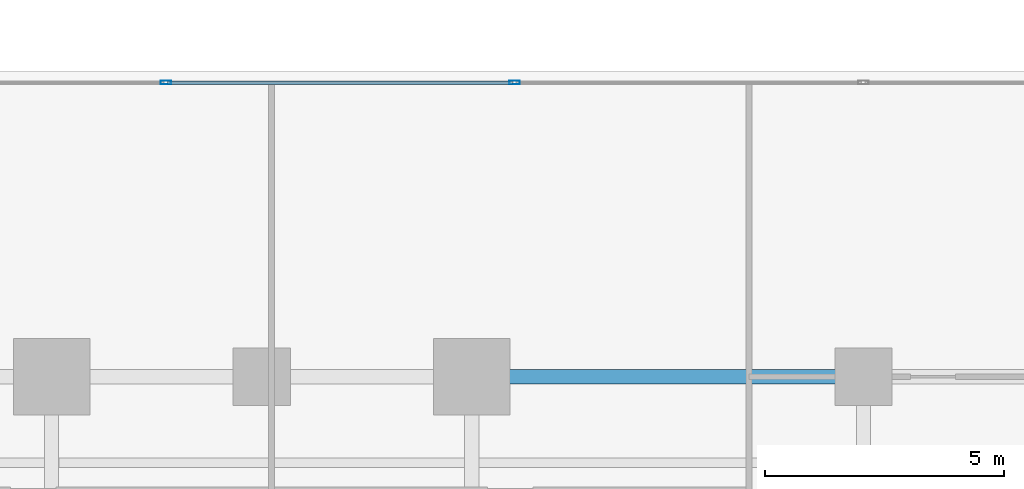
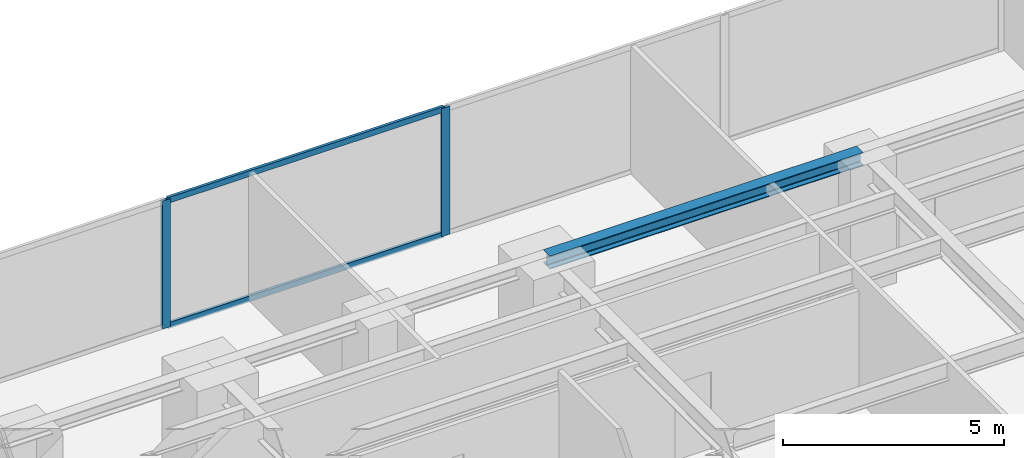
# One storey, part 13 of 28: 4 members, 1 beam, 1 element without a shape of its own.
"""IFC4 building model written with IfcOpenShell, lengths in metres."""

from ifc_helpers import new_model, si_unit, direction, frame, origin, origin_with_axes, origin_2d, place, context, subcontext, project, spatial, hollow_rectangle, i_section, extrude, source, transform, mapped, material, layer, layer_set, material_profile, profile_set, type_object, element, aggregate, save


model = new_model("IFC4")

# Units and contexts
model_context = context("Model", 3, precision=1e-05, world=origin(), true_north=direction((0.0, 1.0)))
body_context = subcontext(model_context, "Body", "Model", "MODEL_VIEW")
ifc_project = project(units=[si_unit("LENGTHUNIT", "METRE"), si_unit("AREAUNIT", "SQUARE_METRE"), si_unit("VOLUMEUNIT", "CUBIC_METRE"), si_unit("PLANEANGLEUNIT", "RADIAN"), si_unit("MASSUNIT", "GRAM", prefix="KILO")], contexts=[model_context])

# Site, building, storey
site_placement = place(None, origin())
site = spatial("IfcSite", under=ifc_project, at=site_placement, CompositionType="ELEMENT")
building_placement = place(site_placement, origin())
building = spatial("IfcBuilding", under=site, at=building_placement, Name="Kolvaren Waterfront Exchange", CompositionType="ELEMENT")
storey_placement = place(building_placement, frame((0.0, 0.0, 75.199951171875)))
storey = spatial("IfcBuildingStorey", under=building, at=storey_placement, Name="L19", CompositionType="ELEMENT", Elevation=75.199951171875)

# Beam
ifc_material_1 = material(Name="Steel S355", Category="steel")
ifc_material_profile_1 = material_profile(ifc_material_1, i_section(OverallWidth=0.300048828125, OverallDepth=0.360107421875, WebThickness=0.012451171875, FlangeThickness=0.0224609375, FilletRadius=0.027099609375, at=origin_2d()), Name="HEB360")
ifc_profile_set_1 = profile_set([ifc_material_profile_1], Name="Steel S355")
beam_type = type_object("IfcBeamType", Name="STR-BM-HEB360", PredefinedType="SPANDREL", material=ifc_profile_set_1)
beam_placement = place(storey_placement, frame((45.60009765625, 17.39990234375, 3.360107421875), z_axis=(1.0, 0.0, 0.0), x_axis=(0.0, 1.0, 0.0)))
element("IfcBeam", 1, at=beam_placement, inside=storey, type_object=beam_type, Name="L19 east-arm spandrel N4", PredefinedType="SPANDREL", context=body_context, shape_type="SweptSolid", body=[
    extrude(i_section(OverallWidth=0.300048828125, OverallDepth=0.360107421875, WebThickness=0.012451171875, FlangeThickness=0.0224609375, FilletRadius=0.027099609375, at=origin_2d()), origin(), (0.0, 0.0, 1.0), 8.199951171875),
])

# Curtain wall, members
ifc_material_2 = material(Name="Anodised bronze aluminium 6063-T6", Category="aluminium")
ifc_layer = layer(ifc_material_2, 0.219970703125, Name="Anodised bronze aluminium 6063-T6")
ifc_layer_set = layer_set([ifc_layer], Name="Anodised bronze aluminium 6063-T6")
curtain_wall_type = type_object("IfcCurtainWallType", Name="ARC-CW-SYS1", PredefinedType="USERDEFINED", material=ifc_layer_set)
curtain_wall_placement = place(storey_placement, origin())
curtain_wall = element("IfcCurtainWall", 2, at=curtain_wall_placement, inside=storey, type_object=curtain_wall_type, Name="L19 stick curtain wall CW1 (CW-L19-EN)", ObjectType="STICK CURTAIN WALL", PredefinedType="USERDEFINED")
ifc_material_3 = material(Name="Anodised aluminium 6063-T6", Category="aluminium")
ifc_material_profile_2 = material_profile(ifc_material_3, hollow_rectangle(XDim=0.074951171875, YDim=0.159912109375, WallThickness=0.00439453125, at=origin_2d()), Name="ALU-TRN-160x75x4.5")
ifc_profile_set_2 = profile_set([ifc_material_profile_2], Name="Anodised aluminium 6063-T6")
member_type_1 = type_object("IfcMemberType", Name="ARC-CWT-160", PredefinedType="USERDEFINED", material=ifc_profile_set_2)
shared_shape_1 = source(origin_with_axes(), body_context, "Body", "SweptSolid", [
    extrude(hollow_rectangle(XDim=0.074951171875, YDim=0.159912109375, WallThickness=0.00439453125, at=origin_2d()), origin(), (0.0, 0.0, 1.0), 7.22265625),
])
member_1_placement = place(storey_placement, frame((39.232421875, 23.56005859375, 0.03759765625), z_axis=(1.0, 0.0, 0.0), x_axis=(0.0, 1.0, 0.0)))
member_1 = element("IfcMember", 3, at=member_1_placement, type_object=member_type_1, Name="CW1 transom 2.1", ObjectType="TRANSOM", PredefinedType="USERDEFINED", context=body_context, shape_type="MappedRepresentation", body=[
    mapped(shared_shape_1, transform((0.0, 0.0, 0.0), x_axis=(1.0, 0.0, 0.0), y_axis=(0.0, 1.0, 0.0), z_axis=(0.0, 0.0, 1.0), scale=1.0)),
])
member_2_placement = place(storey_placement, frame((39.232421875, 23.56005859375, 3.50244140625), z_axis=(1.0, 0.0, 0.0), x_axis=(0.0, 1.0, 0.0)))
member_2 = element("IfcMember", 4, at=member_2_placement, type_object=member_type_1, Name="CW1 transom 2.2", ObjectType="TRANSOM", PredefinedType="USERDEFINED", context=body_context, shape_type="MappedRepresentation", body=[
    mapped(shared_shape_1, transform((0.0, 0.0, 0.0), x_axis=(1.0, 0.0, 0.0), y_axis=(0.0, 1.0, 0.0), z_axis=(0.0, 0.0, 1.0), scale=1.0)),
])
ifc_material_profile_3 = material_profile(ifc_material_3, hollow_rectangle(XDim=0.080078125, YDim=0.219970703125, WallThickness=0.0048828125, at=origin_2d()), Name="ALU-MUL-220x80x5")
ifc_profile_set_3 = profile_set([ifc_material_profile_3], Name="Anodised aluminium 6063-T6")
member_type_2 = type_object("IfcMemberType", Name="ARC-CWM-220", PredefinedType="MULLION", material=ifc_profile_set_3)
shared_shape_2 = source(origin_with_axes(), body_context, "Body", "SweptSolid", [
    extrude(hollow_rectangle(XDim=0.080078125, YDim=0.219970703125, WallThickness=0.0048828125, at=origin_2d()), origin(), (0.0, 0.0, 1.0), 3.5400390625),
])
member_3_placement = place(storey_placement, frame((39.1923828125, 23.56005859375, 0.0), z_axis=(0.0, 0.0, 1.0), x_axis=(0.0, 1.0, 0.0)))
member_3 = element("IfcMember", 5, at=member_3_placement, type_object=member_type_2, Name="CW1 mullion 2", PredefinedType="MULLION", context=body_context, shape_type="MappedRepresentation", body=[
    mapped(shared_shape_2, transform((0.0, 0.0, 0.0), x_axis=(1.0, 0.0, 0.0), y_axis=(0.0, 1.0, 0.0), z_axis=(0.0, 0.0, 1.0), scale=1.0)),
])
member_4_placement = place(storey_placement, frame((46.4951171875, 23.56005859375, 0.0), z_axis=(0.0, 0.0, 1.0), x_axis=(0.0, 1.0, 0.0)))
member_4 = element("IfcMember", 6, at=member_4_placement, type_object=member_type_2, Name="CW1 mullion 3", PredefinedType="MULLION", context=body_context, shape_type="MappedRepresentation", body=[
    mapped(shared_shape_2, transform((0.0, 0.0, 0.0), x_axis=(1.0, 0.0, 0.0), y_axis=(0.0, 1.0, 0.0), z_axis=(0.0, 0.0, 1.0), scale=1.0)),
])
aggregate(curtain_wall, [member_3, member_4, member_1, member_2])

save(model, "model.ifc")
